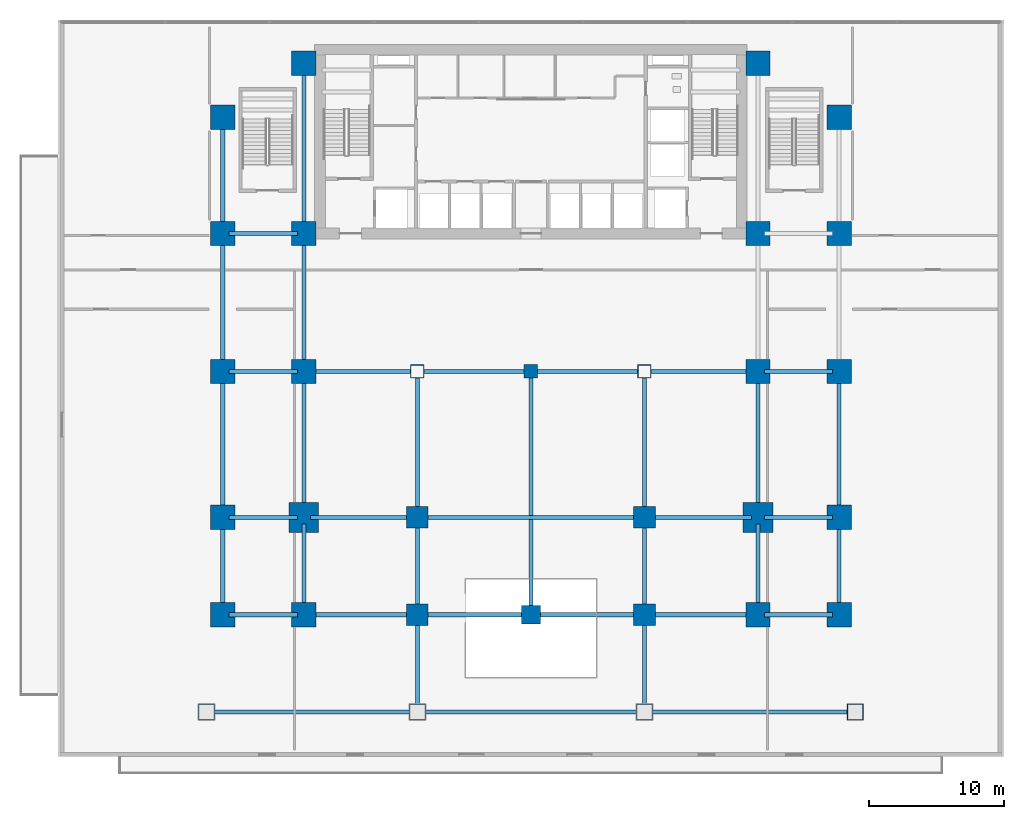
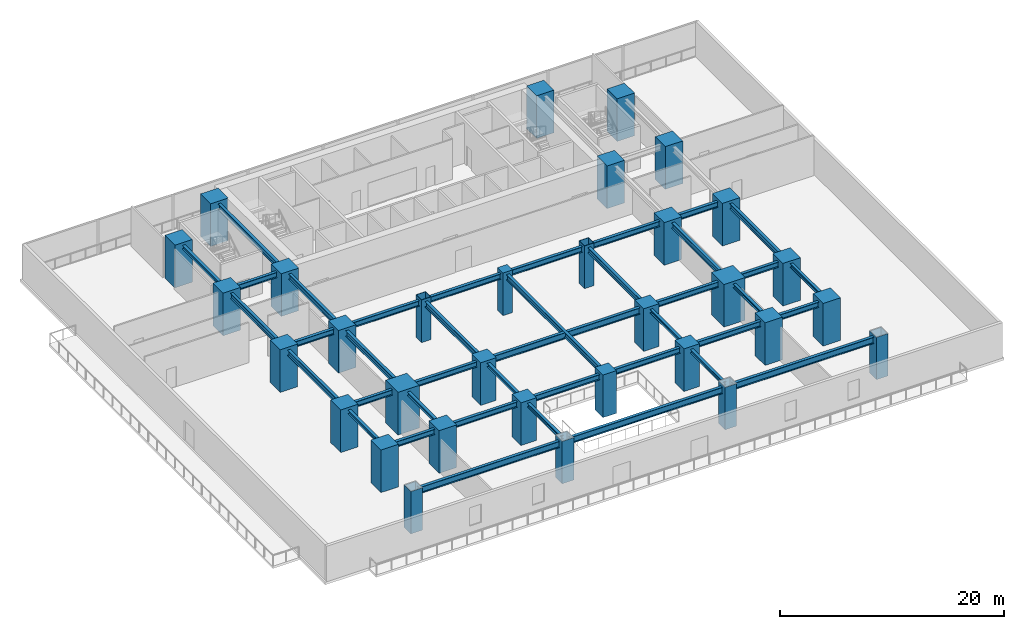
# One storey, part 1 of 17: 40 beams, 32 columns.
"""IFC4 building model written with IfcOpenShell, lengths in metres."""

from ifc_helpers import new_model, si_unit, direction, frame, origin, origin_with_axes, origin_2d, place, context, subcontext, project, spatial, rectangle, hollow_rectangle, i_section, extrude, source, transform, mapped, material, material_profile, profile_set, type_object, element, save


model = new_model("IFC4")

# Units and contexts
model_context = context("Model", 3, precision=1e-05, world=origin(), true_north=direction((0.0, 1.0)))
body_context = subcontext(model_context, "Body", "Model", "MODEL_VIEW")
ifc_project = project(units=[si_unit("LENGTHUNIT", "METRE"), si_unit("AREAUNIT", "SQUARE_METRE"), si_unit("VOLUMEUNIT", "CUBIC_METRE"), si_unit("PLANEANGLEUNIT", "RADIAN"), si_unit("MASSUNIT", "GRAM", prefix="KILO")], contexts=[model_context])

# Site, building, storey
site_placement = place(None, origin())
site = spatial("IfcSite", under=ifc_project, at=site_placement, CompositionType="ELEMENT")
building_placement = place(site_placement, origin())
building = spatial("IfcBuilding", under=site, at=building_placement, Name="Sumidabori Civic Tower", CompositionType="ELEMENT")
storey_placement = place(building_placement, frame((0.0, 0.0, 9.64990234375)))
storey = spatial("IfcBuildingStorey", under=building, at=storey_placement, Name="L02", CompositionType="ELEMENT", Elevation=9.64990234375)

# Columns
ifc_material_1 = material(Name="Steel SM570", Category="steel")
ifc_material_profile_1 = material_profile(ifc_material_1, hollow_rectangle(XDim=1.199951171875, YDim=1.199951171875, WallThickness=0.054931640625, at=origin_2d()), Name="SHS 1200x1200x55")
ifc_profile_set_1 = profile_set([ifc_material_profile_1], Name="Steel SM570")
column_type_1 = type_object("IfcColumnType", Name="CL-POD-SHS1200", PredefinedType="COLUMN", material=ifc_profile_set_1)
shared_shape_1 = source(origin(), body_context, "Body", "SweptSolid", [
    extrude(hollow_rectangle(XDim=1.199951171875, YDim=1.199951171875, WallThickness=0.054931640625, at=origin_2d()), origin(), (0.0, 0.0, 1.0), 4.6201171875),
])
for number, where, z_axis, x_axis, name in (
    (1, (-24.0, -25.199951171875, 0.0), (0.0, 0.0, 1.0), (1.0, 0.0, 0.0), "Column PC-S1 L02"),
    (2, (-8.39990234375, -25.199951171875, 0.0), (0.0, 0.0, 1.0), (1.0, 0.0, 0.0), "Column PC-S2 L02"),
    (3, (8.39990234375, -25.199951171875, 0.0), (0.0, 0.0, 1.0), (1.0, 0.0, 0.0), "Column PC-S3 L02"),
    (4, (24.0, -25.199951171875, 0.0), (0.0, 0.0, 1.0), (1.0, 0.0, 0.0), "Column PC-S4 L02"),
):
    element("IfcColumn", number, at=place(storey_placement, frame(where, z_axis=z_axis, x_axis=x_axis)), inside=storey, type_object=column_type_1, Name=name, PredefinedType="COLUMN", context=body_context, shape_type="MappedRepresentation", body=[
        mapped(shared_shape_1, transform((0.0, 0.0, 0.0), x_axis=(1.0, 0.0, 0.0), y_axis=(0.0, 1.0, 0.0), z_axis=(0.0, 0.0, 1.0), scale=1.0)),
    ])
ifc_material_2 = material(Name="Concrete C60/75", Category="concrete")
ifc_material_profile_2 = material_profile(ifc_material_2, rectangle(XDim=1.800048828125, YDim=1.800048828125, at=origin_2d()), Name="RC 1800x1800")
ifc_profile_set_2 = profile_set([ifc_material_profile_2], Name="Concrete C60/75")
column_type_2 = type_object("IfcColumnType", Name="CL-MEGA-1800", PredefinedType="COLUMN", material=ifc_profile_set_2)
shared_shape_2 = source(origin(), body_context, "Body", "SweptSolid", [
    extrude(rectangle(XDim=1.800048828125, YDim=1.800048828125, at=origin_2d()), origin(), (0.0, 0.0, 1.0), 4.650146484375),
])
for number, where, z_axis, x_axis, name in (
    (5, (-16.800048828125, -18.0, 0.0), (0.0, 0.0, 1.0), (1.0, 0.0, 0.0), "Column MC-W16-Y18S L02"),
    (6, (-16.800048828125, 0.0, 0.0), (0.0, 0.0, 1.0), (1.0, 0.0, 0.0), "Column MC-W16-Y00 L02"),
    (7, (-16.800048828125, 10.199951171875, 0.0), (0.0, 0.0, 1.0), (1.0, 0.0, 0.0), "Column MC-W16-Y10N L02"),
    (8, (-16.800048828125, 22.800048828125, 0.0), (0.0, 0.0, 1.0), (1.0, 0.0, 0.0), "Column MC-W16-Y23N L02"),
    (9, (16.800048828125, -18.0, 0.0), (0.0, 0.0, 1.0), (1.0, 0.0, 0.0), "Column MC-E16-Y18S L02"),
    (10, (16.800048828125, 0.0, 0.0), (0.0, 0.0, 1.0), (1.0, 0.0, 0.0), "Column MC-E16-Y00 L02"),
    (11, (16.800048828125, 10.199951171875, 0.0), (0.0, 0.0, 1.0), (1.0, 0.0, 0.0), "Column MC-E16-Y10N L02"),
    (12, (16.800048828125, 22.800048828125, 0.0), (0.0, 0.0, 1.0), (1.0, 0.0, 0.0), "Column MC-E16-Y23N L02"),
    (13, (-22.800048828125, -18.0, 0.0), (0.0, 0.0, 1.0), (1.0, 0.0, 0.0), "Column MC-W23-Y18S L02"),
    (14, (-22.800048828125, -10.800048828125, 0.0), (0.0, 0.0, 1.0), (1.0, 0.0, 0.0), "Column MC-W23-Y11S L02"),
    (15, (-22.800048828125, 0.0, 0.0), (0.0, 0.0, 1.0), (1.0, 0.0, 0.0), "Column MC-W23-Y00 L02"),
    (16, (-22.800048828125, 10.199951171875, 0.0), (0.0, 0.0, 1.0), (1.0, 0.0, 0.0), "Column MC-W23-Y10N L02"),
    (17, (-22.800048828125, 18.800048828125, 0.0), (0.0, 0.0, 1.0), (1.0, 0.0, 0.0), "Column MC-W23-Y19N L02"),
    (18, (22.800048828125, -18.0, 0.0), (0.0, 0.0, 1.0), (1.0, 0.0, 0.0), "Column MC-E23-Y18S L02"),
    (19, (22.800048828125, -10.800048828125, 0.0), (0.0, 0.0, 1.0), (1.0, 0.0, 0.0), "Column MC-E23-Y11S L02"),
    (20, (22.800048828125, 0.0, 0.0), (0.0, 0.0, 1.0), (1.0, 0.0, 0.0), "Column MC-E23-Y00 L02"),
    (21, (22.800048828125, 10.199951171875, 0.0), (0.0, 0.0, 1.0), (1.0, 0.0, 0.0), "Column MC-E23-Y10N L02"),
    (22, (22.800048828125, 18.800048828125, 0.0), (0.0, 0.0, 1.0), (1.0, 0.0, 0.0), "Column MC-E23-Y19N L02"),
):
    element("IfcColumn", number, at=place(storey_placement, frame(where, z_axis=z_axis, x_axis=x_axis)), inside=storey, type_object=column_type_2, Name=name, PredefinedType="COLUMN", context=body_context, shape_type="MappedRepresentation", body=[
        mapped(shared_shape_2, transform((0.0, 0.0, 0.0), x_axis=(1.0, 0.0, 0.0), y_axis=(0.0, 1.0, 0.0), z_axis=(0.0, 0.0, 1.0), scale=1.0)),
    ])
ifc_material_profile_3 = material_profile(ifc_material_2, rectangle(XDim=2.199951171875, YDim=2.199951171875, at=origin_2d()), Name="RC 2200x2200")
ifc_profile_set_3 = profile_set([ifc_material_profile_3], Name="Concrete C60/75")
column_type_3 = type_object("IfcColumnType", Name="CL-SUPER-2200", PredefinedType="COLUMN", material=ifc_profile_set_3)
shared_shape_3 = source(origin(), body_context, "Body", "SweptSolid", [
    extrude(rectangle(XDim=2.199951171875, YDim=2.199951171875, at=origin_2d()), origin(), (0.0, 0.0, 1.0), 4.650146484375),
])
for number, where, z_axis, x_axis, name in (
    (23, (-16.800048828125, -10.800048828125, 0.0), (0.0, 0.0, 1.0), (1.0, 0.0, 0.0), "Column MC-W16-Y11S L02"),
    (24, (16.800048828125, -10.800048828125, 0.0), (0.0, 0.0, 1.0), (1.0, 0.0, 0.0), "Column MC-E16-Y11S L02"),
):
    element("IfcColumn", number, at=place(storey_placement, frame(where, z_axis=z_axis, x_axis=x_axis)), inside=storey, type_object=column_type_3, Name=name, PredefinedType="COLUMN", context=body_context, shape_type="MappedRepresentation", body=[
        mapped(shared_shape_3, transform((0.0, 0.0, 0.0), x_axis=(1.0, 0.0, 0.0), y_axis=(0.0, 1.0, 0.0), z_axis=(0.0, 0.0, 1.0), scale=1.0)),
    ])
ifc_material_profile_4 = material_profile(ifc_material_2, rectangle(XDim=1.60009765625, YDim=1.60009765625, at=origin_2d()), Name="RC 1600x1600")
ifc_profile_set_4 = profile_set([ifc_material_profile_4], Name="Concrete C60/75")
column_type_4 = type_object("IfcColumnType", Name="CL-MEGA-1600", PredefinedType="COLUMN", material=ifc_profile_set_4)
shared_shape_4 = source(origin(), body_context, "Body", "SweptSolid", [
    extrude(rectangle(XDim=1.60009765625, YDim=1.60009765625, at=origin_2d()), origin(), (0.0, 0.0, 1.0), 4.650146484375),
])
for number, where, z_axis, x_axis, name in (
    (25, (-8.39990234375, -18.0, 0.0), (0.0, 0.0, 1.0), (1.0, 0.0, 0.0), "Column MC-W08-Y18S L02"),
    (26, (-8.39990234375, -10.800048828125, 0.0), (0.0, 0.0, 1.0), (1.0, 0.0, 0.0), "Column MC-W08-Y11S L02"),
    (27, (8.39990234375, -18.0, 0.0), (0.0, 0.0, 1.0), (1.0, 0.0, 0.0), "Column MC-E08-Y18S L02"),
    (28, (8.39990234375, -10.800048828125, 0.0), (0.0, 0.0, 1.0), (1.0, 0.0, 0.0), "Column MC-E08-Y11S L02"),
):
    element("IfcColumn", number, at=place(storey_placement, frame(where, z_axis=z_axis, x_axis=x_axis)), inside=storey, type_object=column_type_4, Name=name, PredefinedType="COLUMN", context=body_context, shape_type="MappedRepresentation", body=[
        mapped(shared_shape_4, transform((0.0, 0.0, 0.0), x_axis=(1.0, 0.0, 0.0), y_axis=(0.0, 1.0, 0.0), z_axis=(0.0, 0.0, 1.0), scale=1.0)),
    ])
ifc_material_profile_5 = material_profile(ifc_material_1, hollow_rectangle(XDim=1.0, YDim=1.0, WallThickness=0.044921875, at=origin_2d()), Name="SHS 1000x1000x45")
ifc_profile_set_5 = profile_set([ifc_material_profile_5], Name="Steel SM570")
column_type_5 = type_object("IfcColumnType", Name="CL-PORTAL-SHS1000", PredefinedType="COLUMN", material=ifc_profile_set_5)
shared_shape_5 = source(origin(), body_context, "Body", "SweptSolid", [
    extrude(hollow_rectangle(XDim=1.0, YDim=1.0, WallThickness=0.044921875, at=origin_2d()), origin(), (0.0, 0.0, 1.0), 4.650146484375),
])
for number, where, z_axis, x_axis, name in (
    (29, (-8.39990234375, 0.0, 0.0), (0.0, 0.0, 1.0), (1.0, 0.0, 0.0), "Column MC-W08-Y00 L02"),
    (30, (8.39990234375, 0.0, 0.0), (0.0, 0.0, 1.0), (1.0, 0.0, 0.0), "Column MC-E08-Y00 L02"),
):
    element("IfcColumn", number, at=place(storey_placement, frame(where, z_axis=z_axis, x_axis=x_axis)), inside=storey, type_object=column_type_5, Name=name, PredefinedType="COLUMN", context=body_context, shape_type="MappedRepresentation", body=[
        mapped(shared_shape_5, transform((0.0, 0.0, 0.0), x_axis=(1.0, 0.0, 0.0), y_axis=(0.0, 1.0, 0.0), z_axis=(0.0, 0.0, 1.0), scale=1.0)),
    ])
ifc_material_profile_6 = material_profile(ifc_material_2, rectangle(XDim=1.39990234375, YDim=1.39990234375, at=origin_2d()), Name="RC 1400x1400")
ifc_profile_set_6 = profile_set([ifc_material_profile_6], Name="Concrete C60/75")
column_type_6 = type_object("IfcColumnType", Name="CL-MEGA-1400", PredefinedType="COLUMN", material=ifc_profile_set_6)
shared_shape_6 = source(origin(), body_context, "Body", "SweptSolid", [
    extrude(rectangle(XDim=1.39990234375, YDim=1.39990234375, at=origin_2d()), origin(), (0.0, 0.0, 1.0), 4.650146484375),
])
column_1_placement = place(storey_placement, frame((0.0, -18.0, 0.0), z_axis=(0.0, 0.0, 1.0), x_axis=(1.0, 0.0, 0.0)))
element("IfcColumn", 31, at=column_1_placement, inside=storey, type_object=column_type_6, Name="Column MC-C00-Y18S L02", PredefinedType="COLUMN", context=body_context, shape_type="MappedRepresentation", body=[
    mapped(shared_shape_6, transform((0.0, 0.0, 0.0), x_axis=(1.0, 0.0, 0.0), y_axis=(0.0, 1.0, 0.0), z_axis=(0.0, 0.0, 1.0), scale=1.0)),
])
ifc_material_3 = material(Name="Concrete C50/60", Category="concrete")
ifc_material_profile_7 = material_profile(ifc_material_3, rectangle(XDim=1.0, YDim=1.0, at=origin_2d()), Name="RC 1000x1000")
ifc_profile_set_7 = profile_set([ifc_material_profile_7], Name="Concrete C50/60")
column_type_7 = type_object("IfcColumnType", Name="CL-INT-1000", PredefinedType="COLUMN", material=ifc_profile_set_7)
shared_shape_7 = source(origin(), body_context, "Body", "SweptSolid", [
    extrude(rectangle(XDim=1.0, YDim=1.0, at=origin_2d()), origin(), (0.0, 0.0, 1.0), 4.650146484375),
])
column_2_placement = place(storey_placement, origin_with_axes())
element("IfcColumn", 32, at=column_2_placement, inside=storey, type_object=column_type_7, Name="Column MC-C00-Y00 L02", PredefinedType="COLUMN", context=body_context, shape_type="MappedRepresentation", body=[
    mapped(shared_shape_7, transform((0.0, 0.0, 0.0), x_axis=(1.0, 0.0, 0.0), y_axis=(0.0, 1.0, 0.0), z_axis=(0.0, 0.0, 1.0), scale=1.0)),
])

# Beams
ifc_material_4 = material(Name="Steel SN490", Category="steel")
ifc_material_profile_8 = material_profile(ifc_material_4, i_section(OverallWidth=0.300048828125, OverallDepth=0.699951171875, WebThickness=0.01708984375, FlangeThickness=0.031982421875, at=origin_2d()), Name="HE 700 B")
ifc_profile_set_8 = profile_set([ifc_material_profile_8], Name="Steel SN490")
beam_type_1 = type_object("IfcBeamType", Name="BM-GIRD-700", PredefinedType="BEAM", material=ifc_profile_set_8)
shared_shape_8 = source(origin(), body_context, "Body", "SweptSolid", [
    extrude(i_section(OverallWidth=0.300048828125, OverallDepth=0.699951171875, WebThickness=0.01708984375, FlangeThickness=0.031982421875, at=origin_2d()), origin(), (0.0, 0.0, 1.0), 14.64013671875),
])
for number, where, z_axis, x_axis, name in (
    (33, (-23.52001953125, -25.199951171875, 4.02001953125), (1.0, 0.0, 0.0), (0.0, 1.0, 0.0), "Primary Girder L02 GX-01"),
    (34, (8.8798828125, -25.199951171875, 4.02001953125), (1.0, 0.0, 0.0), (0.0, 1.0, 0.0), "Primary Girder L02 GX-03"),
):
    element("IfcBeam", number, at=place(storey_placement, frame(where, z_axis=z_axis, x_axis=x_axis)), inside=storey, type_object=beam_type_1, Name=name, PredefinedType="BEAM", context=body_context, shape_type="MappedRepresentation", body=[
        mapped(shared_shape_8, transform((0.0, 0.0, 0.0), x_axis=(1.0, 0.0, 0.0), y_axis=(0.0, 1.0, 0.0), z_axis=(0.0, 0.0, 1.0), scale=1.0)),
    ])
shared_shape_9 = source(origin(), body_context, "Body", "SweptSolid", [
    extrude(i_section(OverallWidth=0.300048828125, OverallDepth=0.699951171875, WebThickness=0.01708984375, FlangeThickness=0.031982421875, at=origin_2d()), origin(), (0.0, 0.0, 1.0), 15.83984375),
])
for number, where, z_axis, x_axis, name in (
    (35, (-7.919921875, -25.199951171875, 4.02001953125), (1.0, 0.0, 0.0), (0.0, 1.0, 0.0), "Primary Girder L02 GX-02"),
    (36, (-7.919921875, -10.800048828125, 4.02001953125), (1.0, 0.0, 0.0), (0.0, 1.0, 0.0), "Primary Girder L02 GX-12"),
):
    element("IfcBeam", number, at=place(storey_placement, frame(where, z_axis=z_axis, x_axis=x_axis)), inside=storey, type_object=beam_type_1, Name=name, PredefinedType="BEAM", context=body_context, shape_type="MappedRepresentation", body=[
        mapped(shared_shape_9, transform((0.0, 0.0, 0.0), x_axis=(1.0, 0.0, 0.0), y_axis=(0.0, 1.0, 0.0), z_axis=(0.0, 0.0, 1.0), scale=1.0)),
    ])
ifc_material_profile_9 = material_profile(ifc_material_4, i_section(OverallWidth=0.300048828125, OverallDepth=0.60009765625, WebThickness=0.015380859375, FlangeThickness=0.030029296875, at=origin_2d()), Name="HE 600 B")
ifc_profile_set_9 = profile_set([ifc_material_profile_9], Name="Steel SN490")
beam_type_2 = type_object("IfcBeamType", Name="BM-GIRD-600", PredefinedType="BEAM", material=ifc_profile_set_9)
shared_shape_10 = source(origin(), body_context, "Body", "SweptSolid", [
    extrude(i_section(OverallWidth=0.300048828125, OverallDepth=0.60009765625, WebThickness=0.015380859375, FlangeThickness=0.030029296875, at=origin_2d()), origin(), (0.0, 0.0, 1.0), 5.0400390625),
])
for number, where, z_axis, x_axis, name in (
    (37, (-22.320068359375, -18.0, 4.070068359375), (1.0, 0.0, 0.0), (0.0, 1.0, 0.0), "Primary Girder L02 GX-04"),
    (38, (17.280029296875, -18.0, 4.070068359375), (1.0, 0.0, 0.0), (0.0, 1.0, 0.0), "Primary Girder L02 GX-09"),
    (39, (-22.320068359375, -10.800048828125, 4.070068359375), (1.0, 0.0, 0.0), (0.0, 1.0, 0.0), "Primary Girder L02 GX-10"),
    (40, (17.280029296875, -10.800048828125, 4.070068359375), (1.0, 0.0, 0.0), (0.0, 1.0, 0.0), "Primary Girder L02 GX-14"),
    (41, (-22.320068359375, 0.0, 4.070068359375), (1.0, 0.0, 0.0), (0.0, 1.0, 0.0), "Primary Girder L02 GX-15"),
    (42, (17.280029296875, 0.0, 4.070068359375), (1.0, 0.0, 0.0), (0.0, 1.0, 0.0), "Primary Girder L02 GX-20"),
    (43, (-22.320068359375, 10.199951171875, 4.070068359375), (1.0, 0.0, 0.0), (0.0, 1.0, 0.0), "Primary Girder L02 GX-21"),
):
    element("IfcBeam", number, at=place(storey_placement, frame(where, z_axis=z_axis, x_axis=x_axis)), inside=storey, type_object=beam_type_2, Name=name, PredefinedType="BEAM", context=body_context, shape_type="MappedRepresentation", body=[
        mapped(shared_shape_10, transform((0.0, 0.0, 0.0), x_axis=(1.0, 0.0, 0.0), y_axis=(0.0, 1.0, 0.0), z_axis=(0.0, 0.0, 1.0), scale=1.0)),
    ])
shared_shape_11 = source(origin(), body_context, "Body", "SweptSolid", [
    extrude(i_section(OverallWidth=0.300048828125, OverallDepth=0.60009765625, WebThickness=0.015380859375, FlangeThickness=0.030029296875, at=origin_2d()), origin(), (0.0, 0.0, 1.0), 7.440185546875),
])
for number, where, z_axis, x_axis, name in (
    (44, (-16.320068359375, -18.0, 4.070068359375), (1.0, 0.0, 0.0), (0.0, 1.0, 0.0), "Primary Girder L02 GX-05"),
    (45, (8.8798828125, -18.0, 4.070068359375), (1.0, 0.0, 0.0), (0.0, 1.0, 0.0), "Primary Girder L02 GX-08"),
    (46, (-16.320068359375, -10.800048828125, 4.070068359375), (1.0, 0.0, 0.0), (0.0, 1.0, 0.0), "Primary Girder L02 GX-11"),
    (47, (8.8798828125, -10.800048828125, 4.070068359375), (1.0, 0.0, 0.0), (0.0, 1.0, 0.0), "Primary Girder L02 GX-13"),
    (48, (-16.320068359375, 0.0, 4.070068359375), (1.0, 0.0, 0.0), (0.0, 1.0, 0.0), "Primary Girder L02 GX-16"),
    (49, (8.8798828125, 0.0, 4.070068359375), (1.0, 0.0, 0.0), (0.0, 1.0, 0.0), "Primary Girder L02 GX-19"),
):
    element("IfcBeam", number, at=place(storey_placement, frame(where, z_axis=z_axis, x_axis=x_axis)), inside=storey, type_object=beam_type_2, Name=name, PredefinedType="BEAM", context=body_context, shape_type="MappedRepresentation", body=[
        mapped(shared_shape_11, transform((0.0, 0.0, 0.0), x_axis=(1.0, 0.0, 0.0), y_axis=(0.0, 1.0, 0.0), z_axis=(0.0, 0.0, 1.0), scale=1.0)),
    ])
shared_shape_12 = source(origin(), body_context, "Body", "SweptSolid", [
    extrude(i_section(OverallWidth=0.300048828125, OverallDepth=0.60009765625, WebThickness=0.015380859375, FlangeThickness=0.030029296875, at=origin_2d()), origin(), (0.0, 0.0, 1.0), 7.43994140625),
])
for number, where, z_axis, x_axis, name in (
    (50, (-7.919921875, -18.0, 4.070068359375), (1.0, 0.0, 0.0), (0.0, 1.0, 0.0), "Primary Girder L02 GX-06"),
    (51, (0.47998046875, -18.0, 4.070068359375), (1.0, 0.0, 0.0), (0.0, 1.0, 0.0), "Primary Girder L02 GX-07"),
    (52, (-7.919921875, 0.0, 4.070068359375), (1.0, 0.0, 0.0), (0.0, 1.0, 0.0), "Primary Girder L02 GX-17"),
    (53, (0.47998046875, 0.0, 4.070068359375), (1.0, 0.0, 0.0), (0.0, 1.0, 0.0), "Primary Girder L02 GX-18"),
):
    element("IfcBeam", number, at=place(storey_placement, frame(where, z_axis=z_axis, x_axis=x_axis)), inside=storey, type_object=beam_type_2, Name=name, PredefinedType="BEAM", context=body_context, shape_type="MappedRepresentation", body=[
        mapped(shared_shape_12, transform((0.0, 0.0, 0.0), x_axis=(1.0, 0.0, 0.0), y_axis=(0.0, 1.0, 0.0), z_axis=(0.0, 0.0, 1.0), scale=1.0)),
    ])
ifc_material_profile_10 = material_profile(ifc_material_4, i_section(OverallWidth=0.300048828125, OverallDepth=0.39990234375, WebThickness=0.013427734375, FlangeThickness=0.02392578125, at=origin_2d()), Name="HE 400 B")
ifc_profile_set_10 = profile_set([ifc_material_profile_10], Name="Steel SN490")
beam_type_3 = type_object("IfcBeamType", Name="BM-GIRD-400", PredefinedType="BEAM", material=ifc_profile_set_10)
shared_shape_13 = source(origin(), body_context, "Body", "SweptSolid", [
    extrude(i_section(OverallWidth=0.300048828125, OverallDepth=0.39990234375, WebThickness=0.013427734375, FlangeThickness=0.02392578125, at=origin_2d()), origin(), (0.0, 0.0, 1.0), 6.239990234375),
])
for number, where, z_axis, x_axis, name in (
    (54, (-22.800048828125, -17.52001953125, 4.170166015625), (0.0, 1.0, 0.0), (-1.0, 0.0, 0.0), "Primary Girder L02 GY-23"),
    (55, (-16.800048828125, -17.52001953125, 4.170166015625), (0.0, 1.0, 0.0), (-1.0, 0.0, 0.0), "Primary Girder L02 GY-27"),
    (56, (-8.39990234375, -24.719970703125, 4.170166015625), (0.0, 1.0, 0.0), (-1.0, 0.0, 0.0), "Primary Girder L02 GY-31"),
    (57, (-8.39990234375, -17.52001953125, 4.170166015625), (0.0, 1.0, 0.0), (-1.0, 0.0, 0.0), "Primary Girder L02 GY-32"),
    (58, (8.39990234375, -24.719970703125, 4.170166015625), (0.0, 1.0, 0.0), (-1.0, 0.0, 0.0), "Primary Girder L02 GY-35"),
    (59, (8.39990234375, -17.52001953125, 4.170166015625), (0.0, 1.0, 0.0), (-1.0, 0.0, 0.0), "Primary Girder L02 GY-36"),
    (60, (16.800048828125, -17.52001953125, 4.170166015625), (0.0, 1.0, 0.0), (-1.0, 0.0, 0.0), "Primary Girder L02 GY-38"),
    (61, (22.800048828125, -17.52001953125, 4.170166015625), (0.0, 1.0, 0.0), (-1.0, 0.0, 0.0), "Primary Girder L02 GY-42"),
):
    element("IfcBeam", number, at=place(storey_placement, frame(where, z_axis=z_axis, x_axis=x_axis)), inside=storey, type_object=beam_type_3, Name=name, PredefinedType="BEAM", context=body_context, shape_type="MappedRepresentation", body=[
        mapped(shared_shape_13, transform((0.0, 0.0, 0.0), x_axis=(1.0, 0.0, 0.0), y_axis=(0.0, 1.0, 0.0), z_axis=(0.0, 0.0, 1.0), scale=1.0)),
    ])
shared_shape_14 = source(origin(), body_context, "Body", "SweptSolid", [
    extrude(i_section(OverallWidth=0.300048828125, OverallDepth=0.60009765625, WebThickness=0.015380859375, FlangeThickness=0.030029296875, at=origin_2d()), origin(), (0.0, 0.0, 1.0), 9.840087890625),
])
for number, where, z_axis, x_axis, name in (
    (62, (-22.800048828125, -10.320068359375, 4.070068359375), (0.0, 1.0, 0.0), (-1.0, 0.0, 0.0), "Primary Girder L02 GY-24"),
    (63, (-16.800048828125, -10.320068359375, 4.070068359375), (0.0, 1.0, 0.0), (-1.0, 0.0, 0.0), "Primary Girder L02 GY-28"),
    (64, (-8.39990234375, -10.320068359375, 4.070068359375), (0.0, 1.0, 0.0), (-1.0, 0.0, 0.0), "Primary Girder L02 GY-33"),
    (65, (8.39990234375, -10.320068359375, 4.070068359375), (0.0, 1.0, 0.0), (-1.0, 0.0, 0.0), "Primary Girder L02 GY-37"),
    (66, (16.800048828125, -10.320068359375, 4.070068359375), (0.0, 1.0, 0.0), (-1.0, 0.0, 0.0), "Primary Girder L02 GY-39"),
    (67, (22.800048828125, -10.320068359375, 4.070068359375), (0.0, 1.0, 0.0), (-1.0, 0.0, 0.0), "Primary Girder L02 GY-43"),
):
    element("IfcBeam", number, at=place(storey_placement, frame(where, z_axis=z_axis, x_axis=x_axis)), inside=storey, type_object=beam_type_2, Name=name, PredefinedType="BEAM", context=body_context, shape_type="MappedRepresentation", body=[
        mapped(shared_shape_14, transform((0.0, 0.0, 0.0), x_axis=(1.0, 0.0, 0.0), y_axis=(0.0, 1.0, 0.0), z_axis=(0.0, 0.0, 1.0), scale=1.0)),
    ])
shared_shape_15 = source(origin(), body_context, "Body", "SweptSolid", [
    extrude(i_section(OverallWidth=0.300048828125, OverallDepth=0.60009765625, WebThickness=0.015380859375, FlangeThickness=0.030029296875, at=origin_2d()), origin(), (0.0, 0.0, 1.0), 9.239990234375),
])
for number, where, z_axis, x_axis, name in (
    (68, (-22.800048828125, 0.47998046875, 4.070068359375), (0.0, 1.0, 0.0), (-1.0, 0.0, 0.0), "Primary Girder L02 GY-25"),
    (69, (-16.800048828125, 0.47998046875, 4.070068359375), (0.0, 1.0, 0.0), (-1.0, 0.0, 0.0), "Primary Girder L02 GY-29"),
):
    element("IfcBeam", number, at=place(storey_placement, frame(where, z_axis=z_axis, x_axis=x_axis)), inside=storey, type_object=beam_type_2, Name=name, PredefinedType="BEAM", context=body_context, shape_type="MappedRepresentation", body=[
        mapped(shared_shape_15, transform((0.0, 0.0, 0.0), x_axis=(1.0, 0.0, 0.0), y_axis=(0.0, 1.0, 0.0), z_axis=(0.0, 0.0, 1.0), scale=1.0)),
    ])
shared_shape_16 = source(origin(), body_context, "Body", "SweptSolid", [
    extrude(i_section(OverallWidth=0.300048828125, OverallDepth=0.39990234375, WebThickness=0.013427734375, FlangeThickness=0.02392578125, at=origin_2d()), origin(), (0.0, 0.0, 1.0), 7.64013671875),
])
beam_1_placement = place(storey_placement, frame((-22.800048828125, 10.679931640625, 4.170166015625), z_axis=(0.0, 1.0, 0.0), x_axis=(-1.0, 0.0, 0.0)))
element("IfcBeam", 70, at=beam_1_placement, inside=storey, type_object=beam_type_3, Name="Primary Girder L02 GY-26", PredefinedType="BEAM", context=body_context, shape_type="MappedRepresentation", body=[
    mapped(shared_shape_16, transform((0.0, 0.0, 0.0), x_axis=(1.0, 0.0, 0.0), y_axis=(0.0, 1.0, 0.0), z_axis=(0.0, 0.0, 1.0), scale=1.0)),
])
shared_shape_17 = source(origin(), body_context, "Body", "SweptSolid", [
    extrude(i_section(OverallWidth=0.300048828125, OverallDepth=0.60009765625, WebThickness=0.015380859375, FlangeThickness=0.030029296875, at=origin_2d()), origin(), (0.0, 0.0, 1.0), 11.64013671875),
])
beam_2_placement = place(storey_placement, frame((-16.800048828125, 10.679931640625, 4.070068359375), z_axis=(0.0, 1.0, 0.0), x_axis=(-1.0, 0.0, 0.0)))
element("IfcBeam", 71, at=beam_2_placement, inside=storey, type_object=beam_type_2, Name="Primary Girder L02 GY-30", PredefinedType="BEAM", context=body_context, shape_type="MappedRepresentation", body=[
    mapped(shared_shape_17, transform((0.0, 0.0, 0.0), x_axis=(1.0, 0.0, 0.0), y_axis=(0.0, 1.0, 0.0), z_axis=(0.0, 0.0, 1.0), scale=1.0)),
])
shared_shape_18 = source(origin(), body_context, "Body", "SweptSolid", [
    extrude(i_section(OverallWidth=0.300048828125, OverallDepth=0.60009765625, WebThickness=0.015380859375, FlangeThickness=0.030029296875, at=origin_2d()), origin(), (0.0, 0.0, 1.0), 17.0400390625),
])
beam_3_placement = place(storey_placement, frame((0.0, -17.52001953125, 4.070068359375), z_axis=(0.0, 1.0, 0.0), x_axis=(-1.0, 0.0, 0.0)))
element("IfcBeam", 72, at=beam_3_placement, inside=storey, type_object=beam_type_2, Name="Primary Girder L02 GY-34", PredefinedType="BEAM", context=body_context, shape_type="MappedRepresentation", body=[
    mapped(shared_shape_18, transform((0.0, 0.0, 0.0), x_axis=(1.0, 0.0, 0.0), y_axis=(0.0, 1.0, 0.0), z_axis=(0.0, 0.0, 1.0), scale=1.0)),
])

save(model, "model.ifc")
